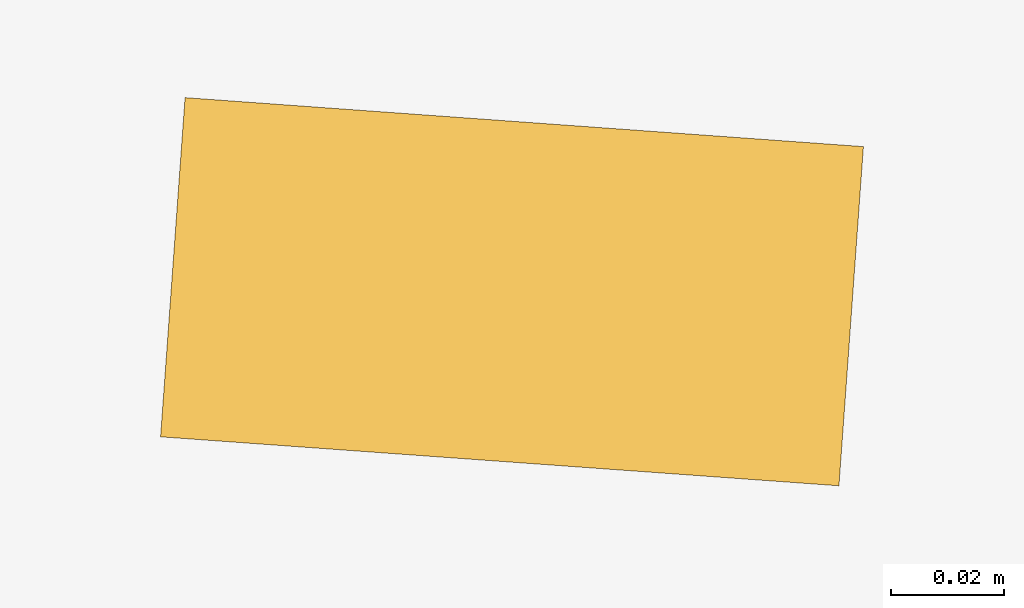
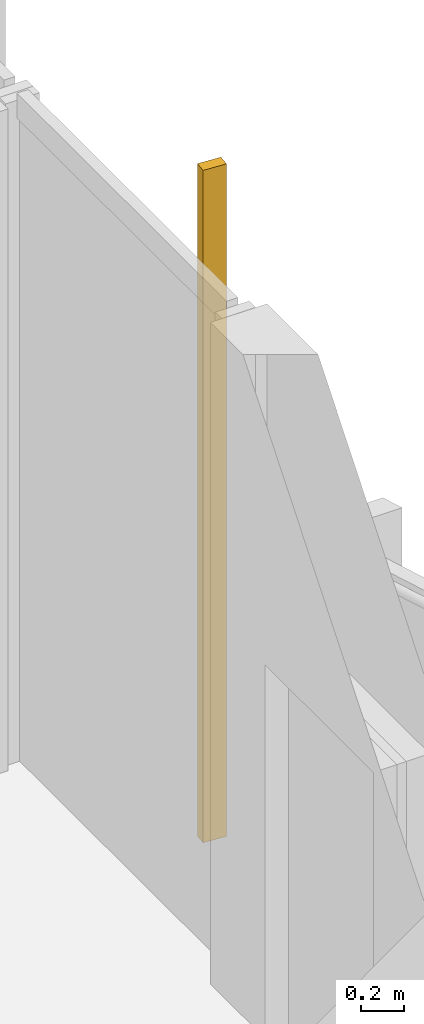
# One storey, part 26 of 28: 1 shading device.
"""IFC4 building model written with IfcOpenShell, lengths in metres."""

from ifc_helpers import new_model, si_unit, direction, frame, origin, origin_2d, place, context, subcontext, project, spatial, rectangle, extrude, source, transform, mapped, material, material_profile, profile_set, type_object, element, save


model = new_model("IFC4")

# Units and contexts
model_context = context("Model", 3, precision=1e-05, world=origin(), true_north=direction((0.0, 1.0)))
body_context = subcontext(model_context, "Body", "Model", "MODEL_VIEW")
ifc_project = project(units=[si_unit("LENGTHUNIT", "METRE"), si_unit("AREAUNIT", "SQUARE_METRE"), si_unit("VOLUMEUNIT", "CUBIC_METRE"), si_unit("PLANEANGLEUNIT", "RADIAN"), si_unit("MASSUNIT", "GRAM", prefix="KILO")], contexts=[model_context])

# Site, building, storey
site_placement = place(None, origin())
site = spatial("IfcSite", under=ifc_project, at=site_placement, CompositionType="ELEMENT")
building_placement = place(site_placement, origin())
building = spatial("IfcBuilding", under=site, at=building_placement, Name="Kilnfold Tower and Market Hall", CompositionType="ELEMENT")
storey_placement = place(building_placement, frame((0.0, 0.0, 87.199951171875)))
storey = spatial("IfcBuildingStorey", under=building, at=storey_placement, Name="L20", CompositionType="ELEMENT", Elevation=87.199951171875)

# Shading device
ifc_material = material(Name="Terracotta", Category="masonry")
ifc_material_profile = material_profile(ifc_material, rectangle(XDim=0.06005859375, YDim=0.1201171875, at=origin_2d()), Name="BAG 60x120")
ifc_profile_set = profile_set([ifc_material_profile], Name="Terracotta")
shading_device_type = type_object("IfcShadingDeviceType", Name="BAGUETTE", PredefinedType="USERDEFINED", material=ifc_profile_set)
shared_shape = source(origin(), body_context, "Body", "SweptSolid", [
    extrude(rectangle(XDim=0.06005859375, YDim=0.1201171875, at=origin_2d()), origin(), (0.0, 0.0, 1.0), 3.780029296875),
])
shading_device_placement = place(storey_placement, frame((33.300048828125, 2.47509765625, 0.0), z_axis=(0.0, 0.0, 1.0), x_axis=(0.072021434078, 0.997403084532, 0.0)))
element("IfcShadingDevice", 1, at=shading_device_placement, inside=storey, type_object=shading_device_type, Name="Terracotta baguette L20 E", ObjectType="BAGUETTE", PredefinedType="USERDEFINED", context=body_context, shape_type="MappedRepresentation", body=[
    mapped(shared_shape, transform((0.0, 0.0, 0.0))),
])

save(model, "model.ifc")
